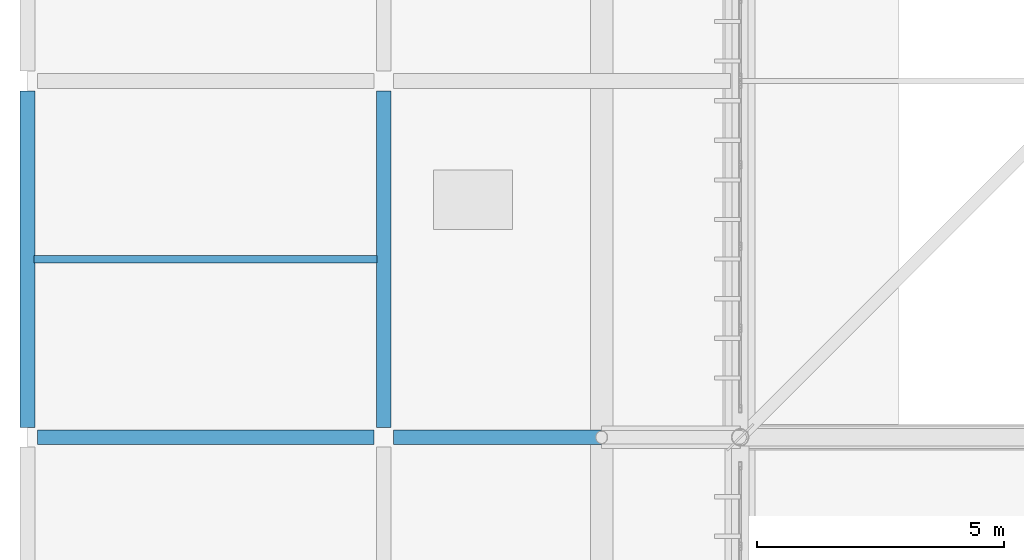
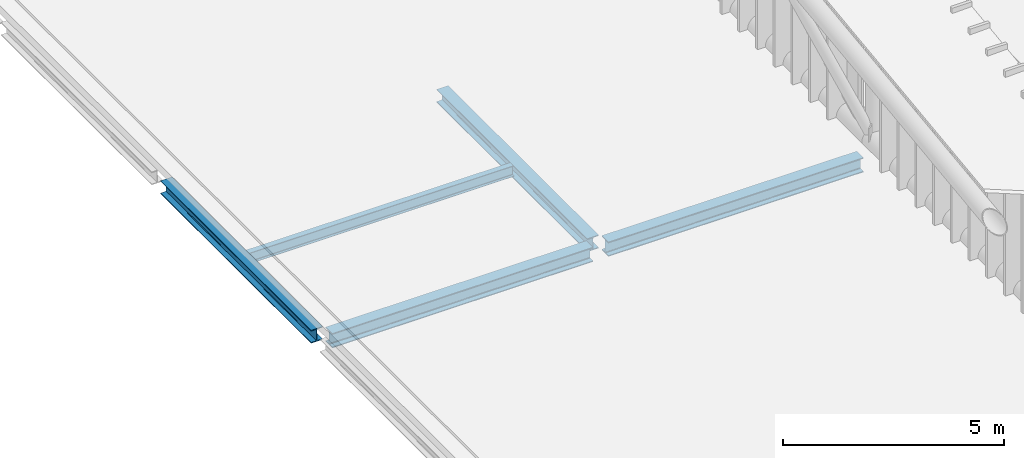
# One storey, part 50 of 397: 5 beams.
"""IFC4 building model written with IfcOpenShell, lengths in metres."""

from ifc_helpers import new_model, si_unit, direction, frame, origin, origin_2d, place, context, subcontext, project, spatial, i_section, extrude, material, material_profile, profile_set, type_object, element, save


model = new_model("IFC4")

# Units and contexts
model_context = context("Model", 3, precision=1e-05, world=origin(), true_north=direction((0.0, 1.0)))
body_context = subcontext(model_context, "Body", "Model", "MODEL_VIEW")
ifc_project = project(units=[si_unit("LENGTHUNIT", "METRE"), si_unit("AREAUNIT", "SQUARE_METRE"), si_unit("VOLUMEUNIT", "CUBIC_METRE"), si_unit("PLANEANGLEUNIT", "RADIAN"), si_unit("MASSUNIT", "GRAM", prefix="KILO")], contexts=[model_context])

# Site, building, storey
site_placement = place(None, origin())
site = spatial("IfcSite", under=ifc_project, at=site_placement, CompositionType="ELEMENT")
building_placement = place(site_placement, origin())
building = spatial("IfcBuilding", under=site, at=building_placement, Name="Qandorah Velis Arena", CompositionType="ELEMENT")
storey_placement = place(building_placement, frame((0.0, 0.0, 27.5)))
storey = spatial("IfcBuildingStorey", under=building, at=storey_placement, Name="RF", CompositionType="ELEMENT", Elevation=27.5)

# Beams
ifc_material = material(Name="Steel S355", Category="steel")
ifc_material_profile_1 = material_profile(ifc_material, i_section(OverallWidth=0.300048828125, OverallDepth=0.360107421875, WebThickness=0.012451171875, FlangeThickness=0.0224609375, FilletRadius=0.027099609375, at=origin_2d()), Name="HEB 360")
ifc_profile_set_1 = profile_set([ifc_material_profile_1], Name="Steel S355")
beam_type_1 = type_object("IfcBeamType", Name="STR-BM-HEB360", PredefinedType="BEAM", material=ifc_profile_set_1)
for number, where, z_axis, x_axis, name in (
    (1, (0.0, 43.39990234375, -0.39990234375), (0.0, 1.0, 0.0), (-1.0, 0.0, 0.0), "Primary floor girder RF Y-066"),
    (2, (7.199951171875, 43.39990234375, -0.39990234375), (0.0, 1.0, 0.0), (-1.0, 0.0, 0.0), "Primary floor girder RF Y-078"),
):
    element("IfcBeam", number, at=place(storey_placement, frame(where, z_axis=z_axis, x_axis=x_axis)), inside=storey, type_object=beam_type_1, Name=name, PredefinedType="BEAM", context=body_context, shape_type="SweptSolid", body=[
        extrude(i_section(OverallWidth=0.300048828125, OverallDepth=0.360107421875, WebThickness=0.012451171875, FlangeThickness=0.0224609375, FilletRadius=0.027099609375, at=origin_2d()), origin(), (0.0, 0.0, 1.0), 6.800048828125),
    ])
ifc_material_profile_2 = material_profile(ifc_material, i_section(OverallWidth=0.300048828125, OverallDepth=0.39990234375, WebThickness=0.013427734375, FlangeThickness=0.02392578125, FilletRadius=0.027099609375, at=origin_2d()), Name="HEB 400")
ifc_profile_set_2 = profile_set([ifc_material_profile_2], Name="Steel S355")
beam_type_2 = type_object("IfcBeamType", Name="STR-BM-HEB400", PredefinedType="BEAM", material=ifc_profile_set_2)
beam_1_placement = place(storey_placement, frame((0.199951171875, 43.199951171875, -0.419921875), z_axis=(1.0, 0.0, 0.0), x_axis=(0.0, 1.0, 0.0)))
element("IfcBeam", 3, at=beam_1_placement, inside=storey, type_object=beam_type_2, Name="Primary floor girder RF X-025", PredefinedType="BEAM", context=body_context, shape_type="SweptSolid", body=[
    extrude(i_section(OverallWidth=0.300048828125, OverallDepth=0.39990234375, WebThickness=0.013427734375, FlangeThickness=0.02392578125, FilletRadius=0.027099609375, at=origin_2d()), origin(), (0.0, 0.0, 1.0), 6.800048828125),
])
beam_2_placement = place(storey_placement, frame((7.39990234375, 43.199951171875, -0.419921875), z_axis=(1.0, 0.0, 0.0), x_axis=(0.0, 1.0, 0.0)))
element("IfcBeam", 4, at=beam_2_placement, inside=storey, type_object=beam_type_2, Name="Primary floor girder RF X-026", PredefinedType="BEAM", context=body_context, shape_type="SweptSolid", body=[
    extrude(i_section(OverallWidth=0.300048828125, OverallDepth=0.39990234375, WebThickness=0.013427734375, FlangeThickness=0.02392578125, FilletRadius=0.027099609375, at=origin_2d()), origin(), (0.0, 0.0, 1.0), 6.650146484375),
])
ifc_material_profile_3 = material_profile(ifc_material, i_section(OverallWidth=0.14990234375, OverallDepth=0.300048828125, WebThickness=0.007080078125, FlangeThickness=0.0107421875, FilletRadius=0.014892578125, at=origin_2d()), Name="IPE 300")
ifc_profile_set_3 = profile_set([ifc_material_profile_3], Name="Steel S355")
beam_type_3 = type_object("IfcBeamType", Name="STR-JST-IPE300", PredefinedType="JOIST", material=ifc_profile_set_3)
beam_3_placement = place(storey_placement, frame((0.135009765625, 46.800048828125, -0.3701171875), z_axis=(1.0, 0.0, 0.0), x_axis=(0.0, 1.0, 0.0)))
element("IfcBeam", 5, at=beam_3_placement, inside=storey, type_object=beam_type_3, Name="Secondary floor joist RF-004", PredefinedType="JOIST", context=body_context, shape_type="SweptSolid", body=[
    extrude(i_section(OverallWidth=0.14990234375, OverallDepth=0.300048828125, WebThickness=0.007080078125, FlangeThickness=0.0107421875, FilletRadius=0.014892578125, at=origin_2d()), origin(), (0.0, 0.0, 1.0), 6.929931640625),
])

save(model, "model.ifc")
